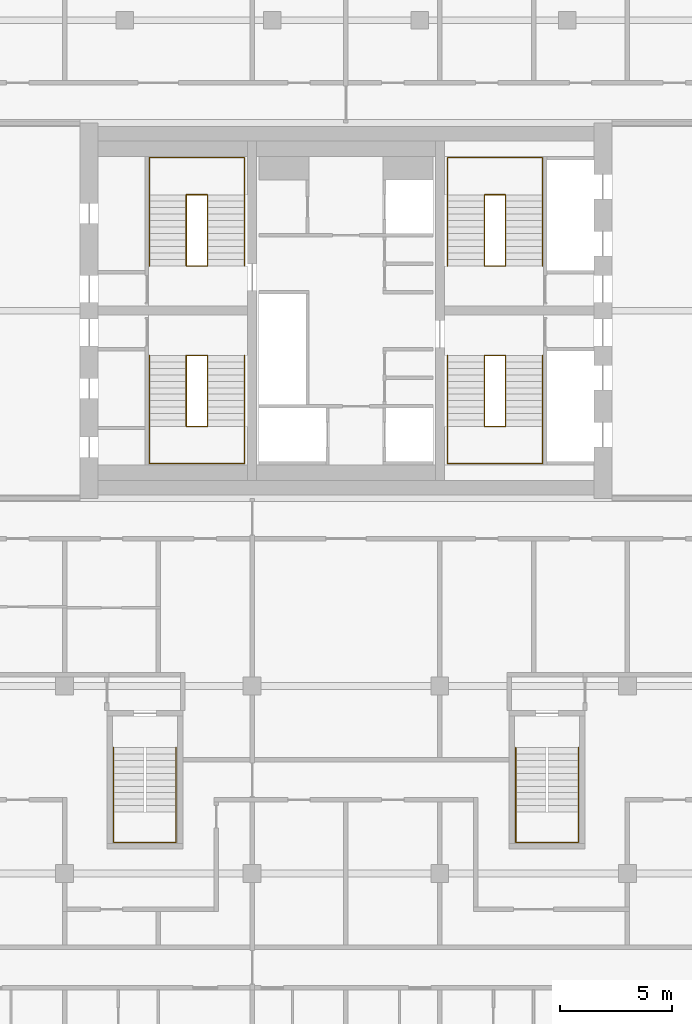
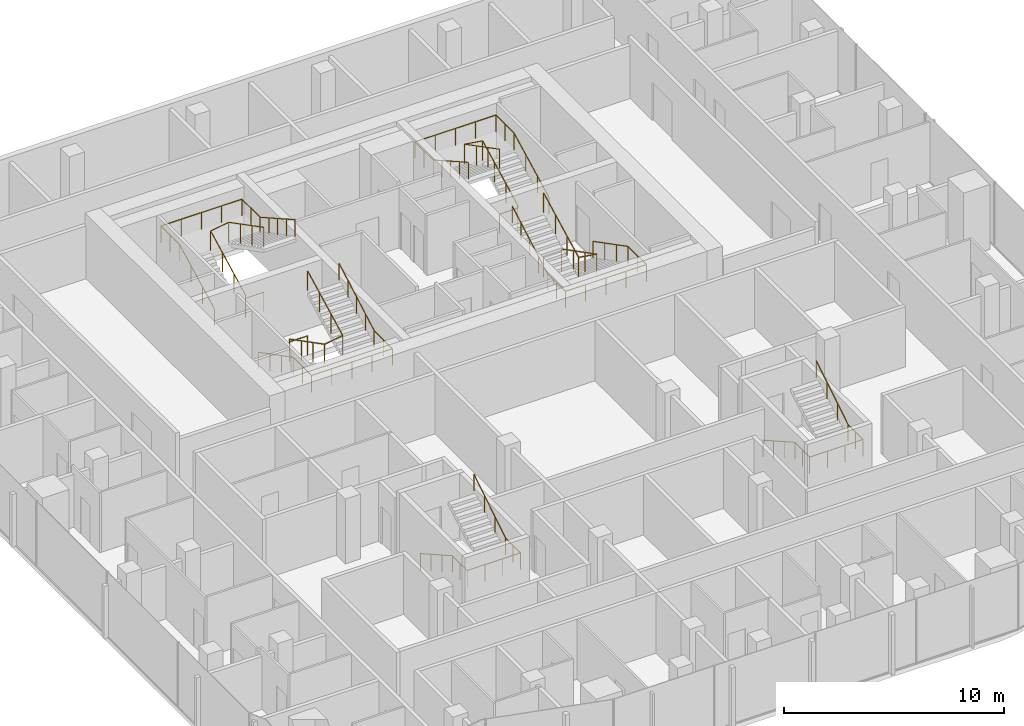
# One storey, part 22 of 22: 10 railings.
"""IFC4 building model written with IfcOpenShell, lengths in metres."""

from ifc_helpers import new_model, si_unit, direction, frame, origin, origin_2d, place, context, subcontext, project, spatial, circle, extrude, material, type_object, element, save


model = new_model("IFC4")

# Units and contexts
model_context = context("Model", 3, precision=1e-05, world=origin(), true_north=direction((0.0, 1.0)))
body_context = subcontext(model_context, "Body", "Model", "MODEL_VIEW")
ifc_project = project(units=[si_unit("LENGTHUNIT", "METRE"), si_unit("AREAUNIT", "SQUARE_METRE"), si_unit("VOLUMEUNIT", "CUBIC_METRE"), si_unit("PLANEANGLEUNIT", "RADIAN"), si_unit("MASSUNIT", "GRAM", prefix="KILO")], contexts=[model_context])

# Site, building, storey
site_placement = place(None, origin())
site = spatial("IfcSite", under=ifc_project, at=site_placement, CompositionType="ELEMENT")
building_placement = place(site_placement, origin())
building = spatial("IfcBuilding", under=site, at=building_placement, Name="Marenta Gate Hotel Tower", CompositionType="ELEMENT")
storey_placement = place(building_placement, frame((0.0, 0.0, 238.10009765625)))
storey = spatial("IfcBuildingStorey", under=building, at=storey_placement, Name="L56", CompositionType="ELEMENT", Elevation=238.10009765625)

# Railings
ifc_material_1 = material(Name="Stainless steel", Category="steel")
railing_type_1 = type_object("IfcRailingType", Name="Core stair handrail 950", PredefinedType="HANDRAIL", material=ifc_material_1)
railing_1_placement = place(storey_placement, frame((-8.800048828125, 6.39990234375, 0.14990234375)))
element("IfcRailing", 1, at=railing_1_placement, inside=storey, type_object=railing_type_1, Name="HR-950 L56-KR-ST1-1", PredefinedType="HANDRAIL", context=body_context, shape_type="SweptSolid", body=[
    extrude(circle(Radius=0.02392578125, at=origin_2d()), frame((0.0, 0.0, 0.92578125), z_axis=(0.0, -0.888225295554, 0.459408123936), x_axis=(1.0, 0.0, 0.0)), (0.0, 0.0, 1.0), 3.59130859375),
    extrude(circle(Radius=0.02392578125, at=origin_2d()), frame((0.0, -3.18994140625, 2.57568359375), z_axis=(0.0, -1.0, 0.0), x_axis=(1.0, 0.0, 0.0)), (0.0, 0.0, 1.0), 1.659912109375),
    extrude(circle(Radius=0.02392578125, at=origin_2d()), frame((0.0, -4.849853515625, 2.57568359375), z_axis=(1.0, 0.0, 0.0), x_axis=(0.0, 1.0, 0.0)), (0.0, 0.0, 1.0), 4.25),
    extrude(circle(Radius=0.02392578125, at=origin_2d()), frame((4.25, -4.849853515625, 2.57568359375), z_axis=(0.0, 1.0, 0.0), x_axis=(-1.0, 0.0, 0.0)), (0.0, 0.0, 1.0), 1.659912109375),
    extrude(circle(Radius=0.02392578125, at=origin_2d()), frame((4.25, -3.18994140625, 2.57568359375), z_axis=(0.0, 0.87090897868, 0.491444351738), x_axis=(-1.0, 0.0, 0.0)), (0.0, 0.0, 1.0), 3.662841796875),
    extrude(circle(Radius=0.02099609375, at=origin_2d()), origin(), (0.0, 0.0, 1.0), 0.90185546875),
    extrude(circle(Radius=0.02099609375, at=origin_2d()), frame((0.0, -1.063232421875, 0.550048828125)), (0.0, 0.0, 1.0), 0.90185546875),
    extrude(circle(Radius=0.02099609375, at=origin_2d()), frame((0.0, -2.126708984375, 1.099853515625)), (0.0, 0.0, 1.0), 0.90185546875),
    extrude(circle(Radius=0.02099609375, at=origin_2d()), frame((0.0, -3.18994140625, 1.64990234375)), (0.0, 0.0, 1.0), 0.90185546875),
    extrude(circle(Radius=0.02099609375, at=origin_2d()), frame((0.0, -4.02001953125, 1.64990234375)), (0.0, 0.0, 1.0), 0.90185546875),
    extrude(circle(Radius=0.02099609375, at=origin_2d()), frame((0.0, -4.849853515625, 1.64990234375)), (0.0, 0.0, 1.0), 0.90185546875),
    extrude(circle(Radius=0.02099609375, at=origin_2d()), frame((1.0625, -4.849853515625, 1.64990234375)), (0.0, 0.0, 1.0), 0.90185546875),
    extrude(circle(Radius=0.02099609375, at=origin_2d()), frame((2.125, -4.849853515625, 1.64990234375)), (0.0, 0.0, 1.0), 0.90185546875),
    extrude(circle(Radius=0.02099609375, at=origin_2d()), frame((3.1875, -4.849853515625, 1.64990234375)), (0.0, 0.0, 1.0), 0.90185546875),
    extrude(circle(Radius=0.02099609375, at=origin_2d()), frame((4.25, -4.849853515625, 1.64990234375)), (0.0, 0.0, 1.0), 0.90185546875),
    extrude(circle(Radius=0.02099609375, at=origin_2d()), frame((4.25, -4.02001953125, 1.64990234375)), (0.0, 0.0, 1.0), 0.90185546875),
    extrude(circle(Radius=0.02099609375, at=origin_2d()), frame((4.25, -3.18994140625, 1.64990234375)), (0.0, 0.0, 1.0), 0.90185546875),
    extrude(circle(Radius=0.02099609375, at=origin_2d()), frame((4.25, -2.392578125, 2.099853515625)), (0.0, 0.0, 1.0), 0.90185546875),
    extrude(circle(Radius=0.02099609375, at=origin_2d()), frame((4.25, -1.594970703125, 2.5498046875)), (0.0, 0.0, 1.0), 0.90185546875),
    extrude(circle(Radius=0.02099609375, at=origin_2d()), frame((4.25, -0.79736328125, 3.0)), (0.0, 0.0, 1.0), 0.90185546875),
    extrude(circle(Radius=0.02099609375, at=origin_2d()), frame((4.25, 0.0, 3.449951171875)), (0.0, 0.0, 1.0), 0.90185546875),
])
railing_2_placement = place(storey_placement, frame((-8.800048828125, 10.39990234375, 0.14990234375)))
element("IfcRailing", 2, at=railing_2_placement, inside=storey, type_object=railing_type_1, Name="HR-950 L56-KR-ST2-1", PredefinedType="HANDRAIL", context=body_context, shape_type="SweptSolid", body=[
    extrude(circle(Radius=0.02392578125, at=origin_2d()), frame((0.0, 0.0, 0.92578125), z_axis=(0.0, 0.888239641807, 0.459380385653), x_axis=(-1.0, 0.0, 0.0)), (0.0, 0.0, 1.0), 3.591552734375),
    extrude(circle(Radius=0.02392578125, at=origin_2d()), frame((0.0, 3.190185546875, 2.57568359375), z_axis=(0.0, 1.0, 0.0), x_axis=(-1.0, 0.0, 0.0)), (0.0, 0.0, 1.0), 1.659912109375),
    extrude(circle(Radius=0.02392578125, at=origin_2d()), frame((0.0, 4.85009765625, 2.57568359375), z_axis=(1.0, 0.0, 0.0), x_axis=(0.0, 1.0, 0.0)), (0.0, 0.0, 1.0), 4.25),
    extrude(circle(Radius=0.02392578125, at=origin_2d()), frame((4.25, 4.85009765625, 2.57568359375), z_axis=(0.0, -1.0, 0.0), x_axis=(1.0, 0.0, 0.0)), (0.0, 0.0, 1.0), 1.659912109375),
    extrude(circle(Radius=0.02392578125, at=origin_2d()), frame((4.25, 3.190185546875, 2.57568359375), z_axis=(0.0, -0.870925075533, 0.491415824742), x_axis=(1.0, 0.0, 0.0)), (0.0, 0.0, 1.0), 3.6630859375),
    extrude(circle(Radius=0.02099609375, at=origin_2d()), origin(), (0.0, 0.0, 1.0), 0.90185546875),
    extrude(circle(Radius=0.02099609375, at=origin_2d()), frame((0.0, 1.0634765625, 0.550048828125)), (0.0, 0.0, 1.0), 0.90185546875),
    extrude(circle(Radius=0.02099609375, at=origin_2d()), frame((0.0, 2.126708984375, 1.099853515625)), (0.0, 0.0, 1.0), 0.90185546875),
    extrude(circle(Radius=0.02099609375, at=origin_2d()), frame((0.0, 3.190185546875, 1.64990234375)), (0.0, 0.0, 1.0), 0.90185546875),
    extrude(circle(Radius=0.02099609375, at=origin_2d()), frame((0.0, 4.02001953125, 1.64990234375)), (0.0, 0.0, 1.0), 0.90185546875),
    extrude(circle(Radius=0.02099609375, at=origin_2d()), frame((0.0, 4.85009765625, 1.64990234375)), (0.0, 0.0, 1.0), 0.90185546875),
    extrude(circle(Radius=0.02099609375, at=origin_2d()), frame((1.0625, 4.85009765625, 1.64990234375)), (0.0, 0.0, 1.0), 0.90185546875),
    extrude(circle(Radius=0.02099609375, at=origin_2d()), frame((2.125, 4.85009765625, 1.64990234375)), (0.0, 0.0, 1.0), 0.90185546875),
    extrude(circle(Radius=0.02099609375, at=origin_2d()), frame((3.1875, 4.85009765625, 1.64990234375)), (0.0, 0.0, 1.0), 0.90185546875),
    extrude(circle(Radius=0.02099609375, at=origin_2d()), frame((4.25, 4.85009765625, 1.64990234375)), (0.0, 0.0, 1.0), 0.90185546875),
    extrude(circle(Radius=0.02099609375, at=origin_2d()), frame((4.25, 4.02001953125, 1.64990234375)), (0.0, 0.0, 1.0), 0.90185546875),
    extrude(circle(Radius=0.02099609375, at=origin_2d()), frame((4.25, 3.190185546875, 1.64990234375)), (0.0, 0.0, 1.0), 0.90185546875),
    extrude(circle(Radius=0.02099609375, at=origin_2d()), frame((4.25, 2.392578125, 2.099853515625)), (0.0, 0.0, 1.0), 0.90185546875),
    extrude(circle(Radius=0.02099609375, at=origin_2d()), frame((4.25, 1.59521484375, 2.5498046875)), (0.0, 0.0, 1.0), 0.90185546875),
    extrude(circle(Radius=0.02099609375, at=origin_2d()), frame((4.25, 0.797607421875, 3.0)), (0.0, 0.0, 1.0), 0.90185546875),
    extrude(circle(Radius=0.02099609375, at=origin_2d()), frame((4.25, 0.0, 3.449951171875)), (0.0, 0.0, 1.0), 0.90185546875),
])
railing_3_placement = place(storey_placement, frame((8.800048828125, 6.39990234375, 0.14990234375)))
element("IfcRailing", 3, at=railing_3_placement, inside=storey, type_object=railing_type_1, Name="HR-950 L56-KR-ST3-1", PredefinedType="HANDRAIL", context=body_context, shape_type="SweptSolid", body=[
    extrude(circle(Radius=0.02392578125, at=origin_2d()), frame((0.0, 0.0, 0.92578125), z_axis=(0.0, -0.888225295554, 0.459408123936), x_axis=(1.0, 0.0, 0.0)), (0.0, 0.0, 1.0), 3.59130859375),
    extrude(circle(Radius=0.02392578125, at=origin_2d()), frame((0.0, -3.18994140625, 2.57568359375), z_axis=(0.0, -1.0, 0.0), x_axis=(1.0, 0.0, 0.0)), (0.0, 0.0, 1.0), 1.659912109375),
    extrude(circle(Radius=0.02392578125, at=origin_2d()), frame((0.0, -4.849853515625, 2.57568359375), z_axis=(-1.0, 0.0, 0.0), x_axis=(0.0, -1.0, 0.0)), (0.0, 0.0, 1.0), 4.25),
    extrude(circle(Radius=0.02392578125, at=origin_2d()), frame((-4.25, -4.849853515625, 2.57568359375), z_axis=(0.0, 1.0, 0.0), x_axis=(-1.0, 0.0, 0.0)), (0.0, 0.0, 1.0), 1.659912109375),
    extrude(circle(Radius=0.02392578125, at=origin_2d()), frame((-4.25, -3.18994140625, 2.57568359375), z_axis=(0.0, 0.87090897868, 0.491444351738), x_axis=(-1.0, 0.0, 0.0)), (0.0, 0.0, 1.0), 3.662841796875),
    extrude(circle(Radius=0.02099609375, at=origin_2d()), origin(), (0.0, 0.0, 1.0), 0.90185546875),
    extrude(circle(Radius=0.02099609375, at=origin_2d()), frame((0.0, -1.063232421875, 0.550048828125)), (0.0, 0.0, 1.0), 0.90185546875),
    extrude(circle(Radius=0.02099609375, at=origin_2d()), frame((0.0, -2.126708984375, 1.099853515625)), (0.0, 0.0, 1.0), 0.90185546875),
    extrude(circle(Radius=0.02099609375, at=origin_2d()), frame((0.0, -3.18994140625, 1.64990234375)), (0.0, 0.0, 1.0), 0.90185546875),
    extrude(circle(Radius=0.02099609375, at=origin_2d()), frame((0.0, -4.02001953125, 1.64990234375)), (0.0, 0.0, 1.0), 0.90185546875),
    extrude(circle(Radius=0.02099609375, at=origin_2d()), frame((0.0, -4.849853515625, 1.64990234375)), (0.0, 0.0, 1.0), 0.90185546875),
    extrude(circle(Radius=0.02099609375, at=origin_2d()), frame((-1.0625, -4.849853515625, 1.64990234375)), (0.0, 0.0, 1.0), 0.90185546875),
    extrude(circle(Radius=0.02099609375, at=origin_2d()), frame((-2.125, -4.849853515625, 1.64990234375)), (0.0, 0.0, 1.0), 0.90185546875),
    extrude(circle(Radius=0.02099609375, at=origin_2d()), frame((-3.1875, -4.849853515625, 1.64990234375)), (0.0, 0.0, 1.0), 0.90185546875),
    extrude(circle(Radius=0.02099609375, at=origin_2d()), frame((-4.25, -4.849853515625, 1.64990234375)), (0.0, 0.0, 1.0), 0.90185546875),
    extrude(circle(Radius=0.02099609375, at=origin_2d()), frame((-4.25, -4.02001953125, 1.64990234375)), (0.0, 0.0, 1.0), 0.90185546875),
    extrude(circle(Radius=0.02099609375, at=origin_2d()), frame((-4.25, -3.18994140625, 1.64990234375)), (0.0, 0.0, 1.0), 0.90185546875),
    extrude(circle(Radius=0.02099609375, at=origin_2d()), frame((-4.25, -2.392578125, 2.099853515625)), (0.0, 0.0, 1.0), 0.90185546875),
    extrude(circle(Radius=0.02099609375, at=origin_2d()), frame((-4.25, -1.594970703125, 2.5498046875)), (0.0, 0.0, 1.0), 0.90185546875),
    extrude(circle(Radius=0.02099609375, at=origin_2d()), frame((-4.25, -0.79736328125, 3.0)), (0.0, 0.0, 1.0), 0.90185546875),
    extrude(circle(Radius=0.02099609375, at=origin_2d()), frame((-4.25, 0.0, 3.449951171875)), (0.0, 0.0, 1.0), 0.90185546875),
])
railing_4_placement = place(storey_placement, frame((8.800048828125, 10.39990234375, 0.14990234375)))
element("IfcRailing", 4, at=railing_4_placement, inside=storey, type_object=railing_type_1, Name="HR-950 L56-KR-ST4-1", PredefinedType="HANDRAIL", context=body_context, shape_type="SweptSolid", body=[
    extrude(circle(Radius=0.02392578125, at=origin_2d()), frame((0.0, 0.0, 0.92578125), z_axis=(0.0, 0.888239641807, 0.459380385653), x_axis=(-1.0, 0.0, 0.0)), (0.0, 0.0, 1.0), 3.591552734375),
    extrude(circle(Radius=0.02392578125, at=origin_2d()), frame((0.0, 3.190185546875, 2.57568359375), z_axis=(0.0, 1.0, 0.0), x_axis=(-1.0, 0.0, 0.0)), (0.0, 0.0, 1.0), 1.659912109375),
    extrude(circle(Radius=0.02392578125, at=origin_2d()), frame((0.0, 4.85009765625, 2.57568359375), z_axis=(-1.0, 0.0, 0.0), x_axis=(0.0, -1.0, 0.0)), (0.0, 0.0, 1.0), 4.25),
    extrude(circle(Radius=0.02392578125, at=origin_2d()), frame((-4.25, 4.85009765625, 2.57568359375), z_axis=(0.0, -1.0, 0.0), x_axis=(1.0, 0.0, 0.0)), (0.0, 0.0, 1.0), 1.659912109375),
    extrude(circle(Radius=0.02392578125, at=origin_2d()), frame((-4.25, 3.190185546875, 2.57568359375), z_axis=(0.0, -0.870925075533, 0.491415824742), x_axis=(1.0, 0.0, 0.0)), (0.0, 0.0, 1.0), 3.6630859375),
    extrude(circle(Radius=0.02099609375, at=origin_2d()), origin(), (0.0, 0.0, 1.0), 0.90185546875),
    extrude(circle(Radius=0.02099609375, at=origin_2d()), frame((0.0, 1.0634765625, 0.550048828125)), (0.0, 0.0, 1.0), 0.90185546875),
    extrude(circle(Radius=0.02099609375, at=origin_2d()), frame((0.0, 2.126708984375, 1.099853515625)), (0.0, 0.0, 1.0), 0.90185546875),
    extrude(circle(Radius=0.02099609375, at=origin_2d()), frame((0.0, 3.190185546875, 1.64990234375)), (0.0, 0.0, 1.0), 0.90185546875),
    extrude(circle(Radius=0.02099609375, at=origin_2d()), frame((0.0, 4.02001953125, 1.64990234375)), (0.0, 0.0, 1.0), 0.90185546875),
    extrude(circle(Radius=0.02099609375, at=origin_2d()), frame((0.0, 4.85009765625, 1.64990234375)), (0.0, 0.0, 1.0), 0.90185546875),
    extrude(circle(Radius=0.02099609375, at=origin_2d()), frame((-1.0625, 4.85009765625, 1.64990234375)), (0.0, 0.0, 1.0), 0.90185546875),
    extrude(circle(Radius=0.02099609375, at=origin_2d()), frame((-2.125, 4.85009765625, 1.64990234375)), (0.0, 0.0, 1.0), 0.90185546875),
    extrude(circle(Radius=0.02099609375, at=origin_2d()), frame((-3.1875, 4.85009765625, 1.64990234375)), (0.0, 0.0, 1.0), 0.90185546875),
    extrude(circle(Radius=0.02099609375, at=origin_2d()), frame((-4.25, 4.85009765625, 1.64990234375)), (0.0, 0.0, 1.0), 0.90185546875),
    extrude(circle(Radius=0.02099609375, at=origin_2d()), frame((-4.25, 4.02001953125, 1.64990234375)), (0.0, 0.0, 1.0), 0.90185546875),
    extrude(circle(Radius=0.02099609375, at=origin_2d()), frame((-4.25, 3.190185546875, 1.64990234375)), (0.0, 0.0, 1.0), 0.90185546875),
    extrude(circle(Radius=0.02099609375, at=origin_2d()), frame((-4.25, 2.392578125, 2.099853515625)), (0.0, 0.0, 1.0), 0.90185546875),
    extrude(circle(Radius=0.02099609375, at=origin_2d()), frame((-4.25, 1.59521484375, 2.5498046875)), (0.0, 0.0, 1.0), 0.90185546875),
    extrude(circle(Radius=0.02099609375, at=origin_2d()), frame((-4.25, 0.797607421875, 3.0)), (0.0, 0.0, 1.0), 0.90185546875),
    extrude(circle(Radius=0.02099609375, at=origin_2d()), frame((-4.25, 0.0, 3.449951171875)), (0.0, 0.0, 1.0), 0.90185546875),
])
railing_5_placement = place(storey_placement, frame((-10.39990234375, -11.14990234375, 0.16357421875)))
element("IfcRailing", 5, at=railing_5_placement, inside=storey, type_object=railing_type_1, Name="HR-950 L56-RS-Z3-1-KR-1", PredefinedType="HANDRAIL", context=body_context, shape_type="SweptSolid", body=[
    extrude(circle(Radius=0.02392578125, at=origin_2d()), frame((0.0, 0.0, 0.92578125), z_axis=(0.0, -0.870946286338, 0.49137823142), x_axis=(1.0, 0.0, 0.0)), (0.0, 0.0, 1.0), 3.329833984375),
    extrude(circle(Radius=0.02392578125, at=origin_2d()), frame((0.0, -2.900146484375, 2.56201171875), z_axis=(0.0, -1.0, 0.0), x_axis=(1.0, 0.0, 0.0)), (0.0, 0.0, 1.0), 1.349853515625),
    extrude(circle(Radius=0.02392578125, at=origin_2d()), frame((0.0, -4.25, 2.56201171875), z_axis=(1.0, 0.0, 0.0), x_axis=(0.0, 1.0, 0.0)), (0.0, 0.0, 1.0), 2.7998046875),
    extrude(circle(Radius=0.02392578125, at=origin_2d()), frame((2.7998046875, -4.25, 2.56201171875), z_axis=(0.0, 1.0, 0.0), x_axis=(-1.0, 0.0, 0.0)), (0.0, 0.0, 1.0), 1.349853515625),
    extrude(circle(Radius=0.02392578125, at=origin_2d()), frame((2.7998046875, -2.900146484375, 2.56201171875), z_axis=(0.0, 0.849645691689, 0.527353959494), x_axis=(-1.0, 0.0, 0.0)), (0.0, 0.0, 1.0), 3.413330078125),
    extrude(circle(Radius=0.02099609375, at=origin_2d()), origin(), (0.0, 0.0, 1.0), 0.90185546875),
    extrude(circle(Radius=0.02099609375, at=origin_2d()), frame((0.0, -0.966796875, 0.54541015625)), (0.0, 0.0, 1.0), 0.90185546875),
    extrude(circle(Radius=0.02099609375, at=origin_2d()), frame((0.0, -1.933349609375, 1.0908203125)), (0.0, 0.0, 1.0), 0.90185546875),
    extrude(circle(Radius=0.02099609375, at=origin_2d()), frame((0.0, -2.900146484375, 1.63623046875)), (0.0, 0.0, 1.0), 0.90185546875),
    extrude(circle(Radius=0.02099609375, at=origin_2d()), frame((0.0, -3.5751953125, 1.63623046875)), (0.0, 0.0, 1.0), 0.90185546875),
    extrude(circle(Radius=0.02099609375, at=origin_2d()), frame((0.0, -4.25, 1.63623046875)), (0.0, 0.0, 1.0), 0.90185546875),
    extrude(circle(Radius=0.02099609375, at=origin_2d()), frame((0.933349609375, -4.25, 1.63623046875)), (0.0, 0.0, 1.0), 0.90185546875),
    extrude(circle(Radius=0.02099609375, at=origin_2d()), frame((1.866455078125, -4.25, 1.63623046875)), (0.0, 0.0, 1.0), 0.90185546875),
    extrude(circle(Radius=0.02099609375, at=origin_2d()), frame((2.7998046875, -4.25, 1.63623046875)), (0.0, 0.0, 1.0), 0.90185546875),
    extrude(circle(Radius=0.02099609375, at=origin_2d()), frame((2.7998046875, -3.5751953125, 1.63623046875)), (0.0, 0.0, 1.0), 0.90185546875),
    extrude(circle(Radius=0.02099609375, at=origin_2d()), frame((2.7998046875, -2.900146484375, 1.63623046875)), (0.0, 0.0, 1.0), 0.90185546875),
    extrude(circle(Radius=0.02099609375, at=origin_2d()), frame((2.7998046875, -1.933349609375, 2.236328125)), (0.0, 0.0, 1.0), 0.90185546875),
    extrude(circle(Radius=0.02099609375, at=origin_2d()), frame((2.7998046875, -0.966796875, 2.836181640625)), (0.0, 0.0, 1.0), 0.90185546875),
    extrude(circle(Radius=0.02099609375, at=origin_2d()), frame((2.7998046875, 0.0, 3.436279296875)), (0.0, 0.0, 1.0), 0.90185546875),
])
railing_6_placement = place(storey_placement, frame((7.60009765625, -11.14990234375, 0.16357421875)))
element("IfcRailing", 6, at=railing_6_placement, inside=storey, type_object=railing_type_1, Name="HR-950 L56-RS-Z3-2-KR-1", PredefinedType="HANDRAIL", context=body_context, shape_type="SweptSolid", body=[
    extrude(circle(Radius=0.02392578125, at=origin_2d()), frame((0.0, 0.0, 0.92578125), z_axis=(0.0, -0.870946286338, 0.49137823142), x_axis=(1.0, 0.0, 0.0)), (0.0, 0.0, 1.0), 3.329833984375),
    extrude(circle(Radius=0.02392578125, at=origin_2d()), frame((0.0, -2.900146484375, 2.56201171875), z_axis=(0.0, -1.0, 0.0), x_axis=(1.0, 0.0, 0.0)), (0.0, 0.0, 1.0), 1.349853515625),
    extrude(circle(Radius=0.02392578125, at=origin_2d()), frame((0.0, -4.25, 2.56201171875), z_axis=(1.0, 0.0, 0.0), x_axis=(0.0, 1.0, 0.0)), (0.0, 0.0, 1.0), 2.7998046875),
    extrude(circle(Radius=0.02392578125, at=origin_2d()), frame((2.7998046875, -4.25, 2.56201171875), z_axis=(0.0, 1.0, 0.0), x_axis=(-1.0, 0.0, 0.0)), (0.0, 0.0, 1.0), 1.349853515625),
    extrude(circle(Radius=0.02392578125, at=origin_2d()), frame((2.7998046875, -2.900146484375, 2.56201171875), z_axis=(0.0, 0.849645691689, 0.527353959494), x_axis=(-1.0, 0.0, 0.0)), (0.0, 0.0, 1.0), 3.413330078125),
    extrude(circle(Radius=0.02099609375, at=origin_2d()), origin(), (0.0, 0.0, 1.0), 0.90185546875),
    extrude(circle(Radius=0.02099609375, at=origin_2d()), frame((0.0, -0.966796875, 0.54541015625)), (0.0, 0.0, 1.0), 0.90185546875),
    extrude(circle(Radius=0.02099609375, at=origin_2d()), frame((0.0, -1.933349609375, 1.0908203125)), (0.0, 0.0, 1.0), 0.90185546875),
    extrude(circle(Radius=0.02099609375, at=origin_2d()), frame((0.0, -2.900146484375, 1.63623046875)), (0.0, 0.0, 1.0), 0.90185546875),
    extrude(circle(Radius=0.02099609375, at=origin_2d()), frame((0.0, -3.5751953125, 1.63623046875)), (0.0, 0.0, 1.0), 0.90185546875),
    extrude(circle(Radius=0.02099609375, at=origin_2d()), frame((0.0, -4.25, 1.63623046875)), (0.0, 0.0, 1.0), 0.90185546875),
    extrude(circle(Radius=0.02099609375, at=origin_2d()), frame((0.933349609375, -4.25, 1.63623046875)), (0.0, 0.0, 1.0), 0.90185546875),
    extrude(circle(Radius=0.02099609375, at=origin_2d()), frame((1.866455078125, -4.25, 1.63623046875)), (0.0, 0.0, 1.0), 0.90185546875),
    extrude(circle(Radius=0.02099609375, at=origin_2d()), frame((2.7998046875, -4.25, 1.63623046875)), (0.0, 0.0, 1.0), 0.90185546875),
    extrude(circle(Radius=0.02099609375, at=origin_2d()), frame((2.7998046875, -3.5751953125, 1.63623046875)), (0.0, 0.0, 1.0), 0.90185546875),
    extrude(circle(Radius=0.02099609375, at=origin_2d()), frame((2.7998046875, -2.900146484375, 1.63623046875)), (0.0, 0.0, 1.0), 0.90185546875),
    extrude(circle(Radius=0.02099609375, at=origin_2d()), frame((2.7998046875, -1.933349609375, 2.236328125)), (0.0, 0.0, 1.0), 0.90185546875),
    extrude(circle(Radius=0.02099609375, at=origin_2d()), frame((2.7998046875, -0.966796875, 2.836181640625)), (0.0, 0.0, 1.0), 0.90185546875),
    extrude(circle(Radius=0.02099609375, at=origin_2d()), frame((2.7998046875, 0.0, 3.436279296875)), (0.0, 0.0, 1.0), 0.90185546875),
])
ifc_material_2 = material(Name="Stainless steel", Category="steel")
railing_type_2 = type_object("IfcRailingType", Name="Core stair well guard 1100", PredefinedType="GUARDRAIL", material=ifc_material_2)
railing_7_placement = place(storey_placement, frame((-6.199951171875, 6.39990234375, 0.0)))
element("IfcRailing", 7, at=railing_7_placement, inside=storey, type_object=railing_type_2, Name="GR-1100 L56-KR-ST1-2", PredefinedType="GUARDRAIL", context=body_context, shape_type="SweptSolid", body=[
    extrude(circle(Radius=0.02392578125, at=origin_2d()), frame((0.0, 0.0, 1.076171875), z_axis=(-1.0, 0.0, 0.0), x_axis=(0.0, -1.0, 0.0)), (0.0, 0.0, 1.0), 0.949951171875),
    extrude(circle(Radius=0.02392578125, at=origin_2d()), frame((-0.949951171875, 0.0, 1.076171875), z_axis=(0.0, 0.0, 1.0), x_axis=(1.0, 0.0, 0.0)), (0.0, 0.0, 1.0), 0.14990234375),
    extrude(circle(Radius=0.02392578125, at=origin_2d()), frame((-0.949951171875, 0.0, 1.22607421875), z_axis=(0.0, -0.888225295554, 0.459408123936), x_axis=(1.0, 0.0, 0.0)), (0.0, 0.0, 1.0), 3.59130859375),
    extrude(circle(Radius=0.02392578125, at=origin_2d()), frame((-0.949951171875, -3.18994140625, 2.8759765625), z_axis=(0.987738253826, 0.0, 0.156118999255), x_axis=(0.0, 1.0, 0.0)), (0.0, 0.0, 1.0), 0.961669921875),
    extrude(circle(Radius=0.02392578125, at=origin_2d()), frame((0.0, -3.18994140625, 3.02587890625), z_axis=(0.0, 0.888225295554, 0.459408123936), x_axis=(-1.0, 0.0, 0.0)), (0.0, 0.0, 1.0), 3.59130859375),
    extrude(circle(Radius=0.02099609375, at=origin_2d()), origin(), (0.0, 0.0, 1.0), 1.052001953125),
    extrude(circle(Radius=0.02099609375, at=origin_2d()), frame((-0.949951171875, 0.0, 0.0)), (0.0, 0.0, 1.0), 1.052001953125),
    extrude(circle(Radius=0.02099609375, at=origin_2d()), frame((-0.949951171875, 0.0, 0.14990234375)), (0.0, 0.0, 1.0), 1.052001953125),
    extrude(circle(Radius=0.02099609375, at=origin_2d()), frame((-0.949951171875, -1.063232421875, 0.699951171875)), (0.0, 0.0, 1.0), 1.052001953125),
    extrude(circle(Radius=0.02099609375, at=origin_2d()), frame((-0.949951171875, -2.126708984375, 1.249755859375)), (0.0, 0.0, 1.0), 1.052001953125),
    extrude(circle(Radius=0.02099609375, at=origin_2d()), frame((-0.949951171875, -3.18994140625, 1.7998046875)), (0.0, 0.0, 1.0), 1.052001953125),
    extrude(circle(Radius=0.02099609375, at=origin_2d()), frame((0.0, -3.18994140625, 1.949951171875)), (0.0, 0.0, 1.0), 1.052001953125),
    extrude(circle(Radius=0.02099609375, at=origin_2d()), frame((0.0, -2.126708984375, 2.5)), (0.0, 0.0, 1.0), 1.052001953125),
    extrude(circle(Radius=0.02099609375, at=origin_2d()), frame((0.0, -1.063232421875, 3.0498046875)), (0.0, 0.0, 1.0), 1.052001953125),
    extrude(circle(Radius=0.02099609375, at=origin_2d()), frame((0.0, 0.0, 3.599853515625)), (0.0, 0.0, 1.0), 1.052001953125),
])
railing_8_placement = place(storey_placement, frame((-6.199951171875, 10.39990234375, 0.0)))
element("IfcRailing", 8, at=railing_8_placement, inside=storey, type_object=railing_type_2, Name="GR-1100 L56-KR-ST2-2", PredefinedType="GUARDRAIL", context=body_context, shape_type="SweptSolid", body=[
    extrude(circle(Radius=0.02392578125, at=origin_2d()), frame((0.0, 0.0, 1.076171875), z_axis=(-1.0, 0.0, 0.0), x_axis=(0.0, -1.0, 0.0)), (0.0, 0.0, 1.0), 0.949951171875),
    extrude(circle(Radius=0.02392578125, at=origin_2d()), frame((-0.949951171875, 0.0, 1.076171875), z_axis=(0.0, 0.0, 1.0), x_axis=(1.0, 0.0, 0.0)), (0.0, 0.0, 1.0), 0.14990234375),
    extrude(circle(Radius=0.02392578125, at=origin_2d()), frame((-0.949951171875, 0.0, 1.22607421875), z_axis=(0.0, 0.888239641807, 0.459380385653), x_axis=(-1.0, 0.0, 0.0)), (0.0, 0.0, 1.0), 3.591552734375),
    extrude(circle(Radius=0.02392578125, at=origin_2d()), frame((-0.949951171875, 3.190185546875, 2.8759765625), z_axis=(0.987738253826, 0.0, 0.156118999255), x_axis=(0.0, 1.0, 0.0)), (0.0, 0.0, 1.0), 0.961669921875),
    extrude(circle(Radius=0.02392578125, at=origin_2d()), frame((0.0, 3.190185546875, 3.02587890625), z_axis=(0.0, -0.888239641807, 0.459380385653), x_axis=(1.0, 0.0, 0.0)), (0.0, 0.0, 1.0), 3.591552734375),
    extrude(circle(Radius=0.02099609375, at=origin_2d()), origin(), (0.0, 0.0, 1.0), 1.052001953125),
    extrude(circle(Radius=0.02099609375, at=origin_2d()), frame((-0.949951171875, 0.0, 0.0)), (0.0, 0.0, 1.0), 1.052001953125),
    extrude(circle(Radius=0.02099609375, at=origin_2d()), frame((-0.949951171875, 0.0, 0.14990234375)), (0.0, 0.0, 1.0), 1.052001953125),
    extrude(circle(Radius=0.02099609375, at=origin_2d()), frame((-0.949951171875, 1.0634765625, 0.699951171875)), (0.0, 0.0, 1.0), 1.052001953125),
    extrude(circle(Radius=0.02099609375, at=origin_2d()), frame((-0.949951171875, 2.126708984375, 1.249755859375)), (0.0, 0.0, 1.0), 1.052001953125),
    extrude(circle(Radius=0.02099609375, at=origin_2d()), frame((-0.949951171875, 3.190185546875, 1.7998046875)), (0.0, 0.0, 1.0), 1.052001953125),
    extrude(circle(Radius=0.02099609375, at=origin_2d()), frame((0.0, 3.190185546875, 1.949951171875)), (0.0, 0.0, 1.0), 1.052001953125),
    extrude(circle(Radius=0.02099609375, at=origin_2d()), frame((0.0, 2.126708984375, 2.5)), (0.0, 0.0, 1.0), 1.052001953125),
    extrude(circle(Radius=0.02099609375, at=origin_2d()), frame((0.0, 1.0634765625, 3.0498046875)), (0.0, 0.0, 1.0), 1.052001953125),
    extrude(circle(Radius=0.02099609375, at=origin_2d()), frame((0.0, 0.0, 3.599853515625)), (0.0, 0.0, 1.0), 1.052001953125),
])
railing_9_placement = place(storey_placement, frame((6.199951171875, 6.39990234375, 0.0)))
element("IfcRailing", 9, at=railing_9_placement, inside=storey, type_object=railing_type_2, Name="GR-1100 L56-KR-ST3-2", PredefinedType="GUARDRAIL", context=body_context, shape_type="SweptSolid", body=[
    extrude(circle(Radius=0.02392578125, at=origin_2d()), frame((0.0, 0.0, 1.076171875), z_axis=(1.0, 0.0, 0.0), x_axis=(0.0, 1.0, 0.0)), (0.0, 0.0, 1.0), 0.949951171875),
    extrude(circle(Radius=0.02392578125, at=origin_2d()), frame((0.949951171875, 0.0, 1.076171875), z_axis=(0.0, 0.0, 1.0), x_axis=(1.0, 0.0, 0.0)), (0.0, 0.0, 1.0), 0.14990234375),
    extrude(circle(Radius=0.02392578125, at=origin_2d()), frame((0.949951171875, 0.0, 1.22607421875), z_axis=(0.0, -0.888225295554, 0.459408123936), x_axis=(1.0, 0.0, 0.0)), (0.0, 0.0, 1.0), 3.59130859375),
    extrude(circle(Radius=0.02392578125, at=origin_2d()), frame((0.949951171875, -3.18994140625, 2.8759765625), z_axis=(-0.987738253826, 0.0, 0.156118999255), x_axis=(0.0, -1.0, 0.0)), (0.0, 0.0, 1.0), 0.961669921875),
    extrude(circle(Radius=0.02392578125, at=origin_2d()), frame((0.0, -3.18994140625, 3.02587890625), z_axis=(0.0, 0.888225295554, 0.459408123936), x_axis=(-1.0, 0.0, 0.0)), (0.0, 0.0, 1.0), 3.59130859375),
    extrude(circle(Radius=0.02099609375, at=origin_2d()), origin(), (0.0, 0.0, 1.0), 1.052001953125),
    extrude(circle(Radius=0.02099609375, at=origin_2d()), frame((0.949951171875, 0.0, 0.0)), (0.0, 0.0, 1.0), 1.052001953125),
    extrude(circle(Radius=0.02099609375, at=origin_2d()), frame((0.949951171875, 0.0, 0.14990234375)), (0.0, 0.0, 1.0), 1.052001953125),
    extrude(circle(Radius=0.02099609375, at=origin_2d()), frame((0.949951171875, -1.063232421875, 0.699951171875)), (0.0, 0.0, 1.0), 1.052001953125),
    extrude(circle(Radius=0.02099609375, at=origin_2d()), frame((0.949951171875, -2.126708984375, 1.249755859375)), (0.0, 0.0, 1.0), 1.052001953125),
    extrude(circle(Radius=0.02099609375, at=origin_2d()), frame((0.949951171875, -3.18994140625, 1.7998046875)), (0.0, 0.0, 1.0), 1.052001953125),
    extrude(circle(Radius=0.02099609375, at=origin_2d()), frame((0.0, -3.18994140625, 1.949951171875)), (0.0, 0.0, 1.0), 1.052001953125),
    extrude(circle(Radius=0.02099609375, at=origin_2d()), frame((0.0, -2.126708984375, 2.5)), (0.0, 0.0, 1.0), 1.052001953125),
    extrude(circle(Radius=0.02099609375, at=origin_2d()), frame((0.0, -1.063232421875, 3.0498046875)), (0.0, 0.0, 1.0), 1.052001953125),
    extrude(circle(Radius=0.02099609375, at=origin_2d()), frame((0.0, 0.0, 3.599853515625)), (0.0, 0.0, 1.0), 1.052001953125),
])
railing_10_placement = place(storey_placement, frame((6.199951171875, 10.39990234375, 0.0)))
element("IfcRailing", 10, at=railing_10_placement, inside=storey, type_object=railing_type_2, Name="GR-1100 L56-KR-ST4-2", PredefinedType="GUARDRAIL", context=body_context, shape_type="SweptSolid", body=[
    extrude(circle(Radius=0.02392578125, at=origin_2d()), frame((0.0, 0.0, 1.076171875), z_axis=(1.0, 0.0, 0.0), x_axis=(0.0, 1.0, 0.0)), (0.0, 0.0, 1.0), 0.949951171875),
    extrude(circle(Radius=0.02392578125, at=origin_2d()), frame((0.949951171875, 0.0, 1.076171875), z_axis=(0.0, 0.0, 1.0), x_axis=(1.0, 0.0, 0.0)), (0.0, 0.0, 1.0), 0.14990234375),
    extrude(circle(Radius=0.02392578125, at=origin_2d()), frame((0.949951171875, 0.0, 1.22607421875), z_axis=(0.0, 0.888239641807, 0.459380385653), x_axis=(-1.0, 0.0, 0.0)), (0.0, 0.0, 1.0), 3.591552734375),
    extrude(circle(Radius=0.02392578125, at=origin_2d()), frame((0.949951171875, 3.190185546875, 2.8759765625), z_axis=(-0.987738253826, 0.0, 0.156118999255), x_axis=(0.0, -1.0, 0.0)), (0.0, 0.0, 1.0), 0.961669921875),
    extrude(circle(Radius=0.02392578125, at=origin_2d()), frame((0.0, 3.190185546875, 3.02587890625), z_axis=(0.0, -0.888239641807, 0.459380385653), x_axis=(1.0, 0.0, 0.0)), (0.0, 0.0, 1.0), 3.591552734375),
    extrude(circle(Radius=0.02099609375, at=origin_2d()), origin(), (0.0, 0.0, 1.0), 1.052001953125),
    extrude(circle(Radius=0.02099609375, at=origin_2d()), frame((0.949951171875, 0.0, 0.0)), (0.0, 0.0, 1.0), 1.052001953125),
    extrude(circle(Radius=0.02099609375, at=origin_2d()), frame((0.949951171875, 0.0, 0.14990234375)), (0.0, 0.0, 1.0), 1.052001953125),
    extrude(circle(Radius=0.02099609375, at=origin_2d()), frame((0.949951171875, 1.0634765625, 0.699951171875)), (0.0, 0.0, 1.0), 1.052001953125),
    extrude(circle(Radius=0.02099609375, at=origin_2d()), frame((0.949951171875, 2.126708984375, 1.249755859375)), (0.0, 0.0, 1.0), 1.052001953125),
    extrude(circle(Radius=0.02099609375, at=origin_2d()), frame((0.949951171875, 3.190185546875, 1.7998046875)), (0.0, 0.0, 1.0), 1.052001953125),
    extrude(circle(Radius=0.02099609375, at=origin_2d()), frame((0.0, 3.190185546875, 1.949951171875)), (0.0, 0.0, 1.0), 1.052001953125),
    extrude(circle(Radius=0.02099609375, at=origin_2d()), frame((0.0, 2.126708984375, 2.5)), (0.0, 0.0, 1.0), 1.052001953125),
    extrude(circle(Radius=0.02099609375, at=origin_2d()), frame((0.0, 1.0634765625, 3.0498046875)), (0.0, 0.0, 1.0), 1.052001953125),
    extrude(circle(Radius=0.02099609375, at=origin_2d()), frame((0.0, 0.0, 3.599853515625)), (0.0, 0.0, 1.0), 1.052001953125),
])

save(model, "model.ifc")
